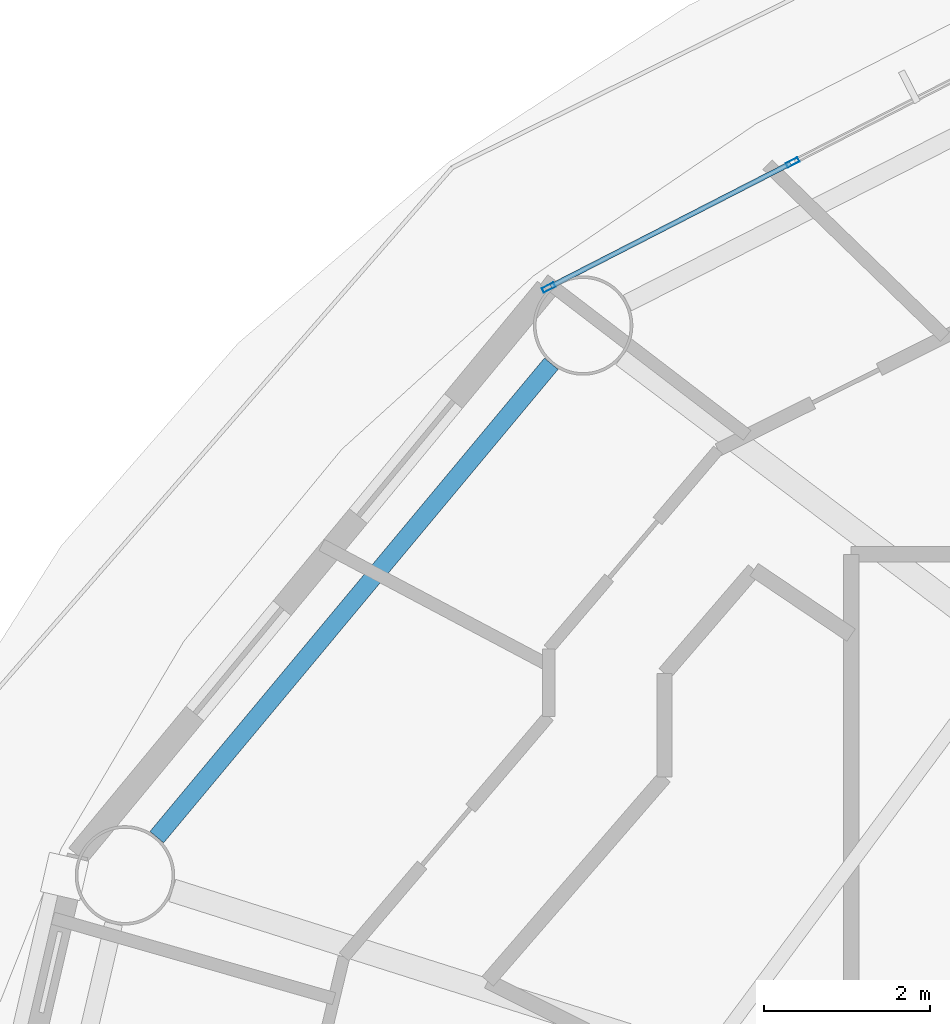
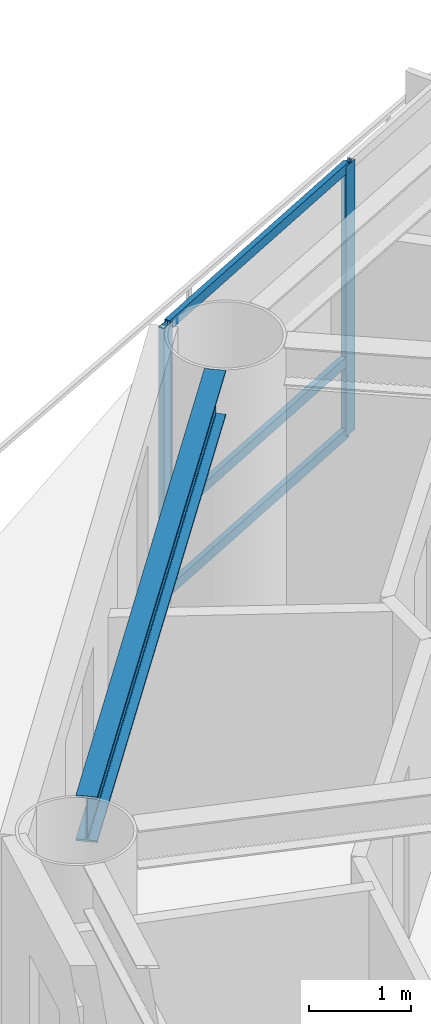
# One storey, part 8 of 28: 5 members, 1 beam, 1 element without a shape of its own.
"""IFC4 building model written with IfcOpenShell, lengths in metres."""

from ifc_helpers import new_model, si_unit, direction, frame, origin, origin_2d, place, context, subcontext, project, spatial, hollow_rectangle, i_section, extrude, material, layer, layer_set, material_profile, profile_set, type_object, element, aggregate, save


model = new_model("IFC4")

# Units and contexts
model_context = context("Model", 3, precision=1e-05, world=origin(), true_north=direction((0.0, 1.0)))
body_context = subcontext(model_context, "Body", "Model", "MODEL_VIEW")
ifc_project = project(units=[si_unit("LENGTHUNIT", "METRE"), si_unit("AREAUNIT", "SQUARE_METRE"), si_unit("VOLUMEUNIT", "CUBIC_METRE"), si_unit("PLANEANGLEUNIT", "RADIAN"), si_unit("MASSUNIT", "GRAM", prefix="KILO")], contexts=[model_context])

# Site, building, storey
site_placement = place(None, origin())
site = spatial("IfcSite", under=ifc_project, at=site_placement, CompositionType="ELEMENT")
building_placement = place(site_placement, origin())
building = spatial("IfcBuilding", under=site, at=building_placement, Name="Sarneth Arch Tower", CompositionType="ELEMENT")
storey_placement = place(building_placement, frame((0.0, 0.0, 197.39990234375)))
storey = spatial("IfcBuildingStorey", under=building, at=storey_placement, Name="L50", CompositionType="ELEMENT", Elevation=197.39990234375)

# Beam
ifc_material_1 = material(Name="Steel S355", Category="steel")
ifc_material_profile_1 = material_profile(ifc_material_1, i_section(OverallWidth=0.214111328125, OverallDepth=0.549072265625, WebThickness=0.0146484375, FlangeThickness=0.023681640625, FilletRadius=0.01806640625, at=origin_2d()), Name="W530x138")
ifc_profile_set_1 = profile_set([ifc_material_profile_1], Name="Steel S355")
beam_type = type_object("IfcBeamType", Name="BM-RAD-530A", PredefinedType="BEAM", material=ifc_profile_set_1)
beam_placement = place(storey_placement, frame((28.482177734375, 55.99951171875, 2.9755859375), z_axis=(-0.640161793626, -0.768240117399, 0.0), x_axis=(0.768240117399, -0.640161793626, 0.0)))
element("IfcBeam", 1, at=beam_placement, inside=storey, type_object=beam_type, Name="L50 Perimeter spandrel beam 07", PredefinedType="BEAM", context=body_context, shape_type="SweptSolid", body=[
    extrude(i_section(OverallWidth=0.214111328125, OverallDepth=0.549072265625, WebThickness=0.0146484375, FlangeThickness=0.023681640625, FilletRadius=0.01806640625, at=origin_2d()), origin(), (0.0, 0.0, 1.0), 7.43603515625),
])

# Curtain wall, members
ifc_material_2 = material(Name="Anodised aluminium Type AA25 and solar-control low-e laminated IGU", Category="aluminium")
ifc_layer = layer(ifc_material_2, 0.169921875)
ifc_layer_set = layer_set([ifc_layer], Name="Anodised aluminium Type AA25 and solar-control low-e laminated IGU")
curtain_wall_type = type_object("IfcCurtainWallType", Name="CW-RES-MID", PredefinedType="NOTDEFINED", material=ifc_layer_set)
curtain_wall_placement = place(storey_placement, origin())
curtain_wall = element("IfcCurtainWall", 2, at=curtain_wall_placement, inside=storey, type_object=curtain_wall_type, Name="L50 Unitised curtain wall facet 06", PredefinedType="NOTDEFINED")
ifc_material_3 = material(Name="Anodised Aluminium 6063-T6", Category="aluminium")
ifc_material_profile_2 = material_profile(ifc_material_3, hollow_rectangle(XDim=0.06005859375, YDim=0.159912109375, WallThickness=0.00390625, at=origin_2d()), Name="AL-MULL-160x60x4")
ifc_profile_set_2 = profile_set([ifc_material_profile_2], Name="Anodised Aluminium 6063-T6")
member_type_1 = type_object("IfcMemberType", Name="CW-MULLION", PredefinedType="MULLION", material=ifc_profile_set_2)
member_1_placement = place(storey_placement, frame((31.39501953125, 58.428955078125, 0.0), z_axis=(0.0, 0.0, 1.0), x_axis=(0.456208470329, -0.88987293003, 0.0)))
member_1 = element("IfcMember", 3, at=member_1_placement, type_object=member_type_1, Name="CW-SYS-5 mullion 3", PredefinedType="MULLION", context=body_context, shape_type="SweptSolid", body=[
    extrude(hollow_rectangle(XDim=0.06005859375, YDim=0.159912109375, WallThickness=0.00390625, at=origin_2d()), origin(), (0.0, 0.0, 1.0), 3.25),
])
member_2_placement = place(storey_placement, frame((28.450439453125, 56.91943359375, 0.0), z_axis=(0.0, 0.0, 1.0), x_axis=(0.456208470329, -0.88987293003, 0.0)))
member_2 = element("IfcMember", 4, at=member_2_placement, type_object=member_type_1, Name="CW-SYS-5 mullion 4", PredefinedType="MULLION", context=body_context, shape_type="SweptSolid", body=[
    extrude(hollow_rectangle(XDim=0.06005859375, YDim=0.159912109375, WallThickness=0.00390625, at=origin_2d()), origin(), (0.0, 0.0, 1.0), 3.25),
])
ifc_material_4 = material(Name="Anodised Aluminium 6063-T6", Category="aluminium")
ifc_material_profile_3 = material_profile(ifc_material_4, hollow_rectangle(XDim=0.06005859375, YDim=0.1201171875, WallThickness=0.00390625, at=origin_2d()), Name="AL-TRAN-120x60x4")
ifc_profile_set_3 = profile_set([ifc_material_profile_3], Name="Anodised Aluminium 6063-T6")
member_type_2 = type_object("IfcMemberType", Name="CW-TRANSOM", PredefinedType="USERDEFINED", material=ifc_profile_set_3)
member_3_placement = place(storey_placement, frame((31.3681640625, 58.415283203125, 0.030029296875), z_axis=(-0.889857362344, -0.456238835131, 0.0), x_axis=(0.456238835131, -0.889857362344, 0.0)))
member_3 = element("IfcMember", 5, at=member_3_placement, type_object=member_type_2, Name="CW-SYS-5 transom 3.1", ObjectType="TRANSOM", PredefinedType="USERDEFINED", context=body_context, shape_type="SweptSolid", body=[
    extrude(hollow_rectangle(XDim=0.06005859375, YDim=0.1201171875, WallThickness=0.00390625, at=origin_2d()), origin(), (0.0, 0.0, 1.0), 3.248779296875),
])
member_4_placement = place(storey_placement, frame((31.3681640625, 58.415283203125, 0.900146484375), z_axis=(-0.889857362344, -0.456238835131, 0.0), x_axis=(0.456238835131, -0.889857362344, 0.0)))
member_4 = element("IfcMember", 6, at=member_4_placement, type_object=member_type_2, Name="CW-SYS-5 transom 3.2", ObjectType="TRANSOM", PredefinedType="USERDEFINED", context=body_context, shape_type="SweptSolid", body=[
    extrude(hollow_rectangle(XDim=0.06005859375, YDim=0.1201171875, WallThickness=0.00390625, at=origin_2d()), origin(), (0.0, 0.0, 1.0), 3.248779296875),
])
member_5_placement = place(storey_placement, frame((31.3681640625, 58.415283203125, 3.22021484375), z_axis=(-0.889857362344, -0.456238835131, 0.0), x_axis=(0.456238835131, -0.889857362344, 0.0)))
member_5 = element("IfcMember", 7, at=member_5_placement, type_object=member_type_2, Name="CW-SYS-5 transom 3.3", ObjectType="TRANSOM", PredefinedType="USERDEFINED", context=body_context, shape_type="SweptSolid", body=[
    extrude(hollow_rectangle(XDim=0.06005859375, YDim=0.1201171875, WallThickness=0.00390625, at=origin_2d()), origin(), (0.0, 0.0, 1.0), 3.248779296875),
])
aggregate(curtain_wall, [member_1, member_2, member_3, member_4, member_5])

save(model, "model.ifc")
